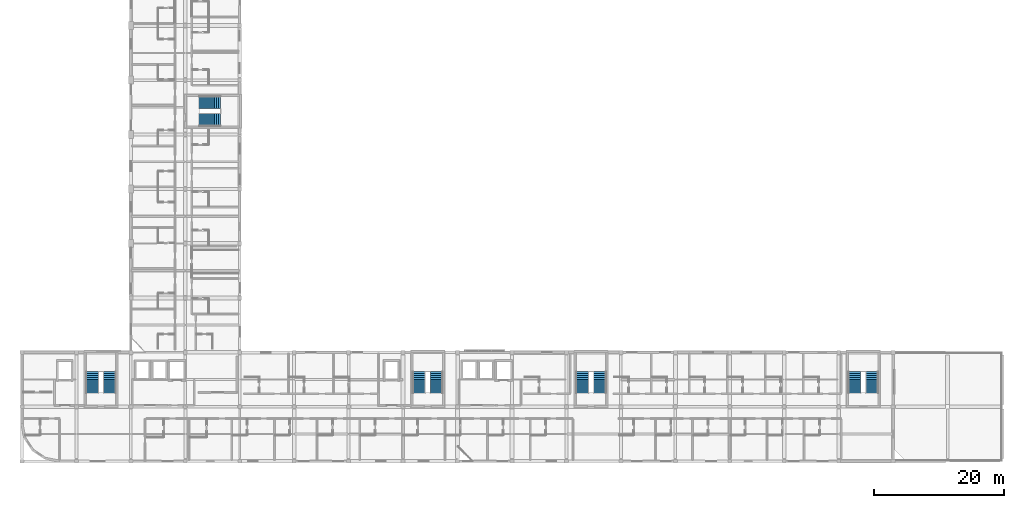
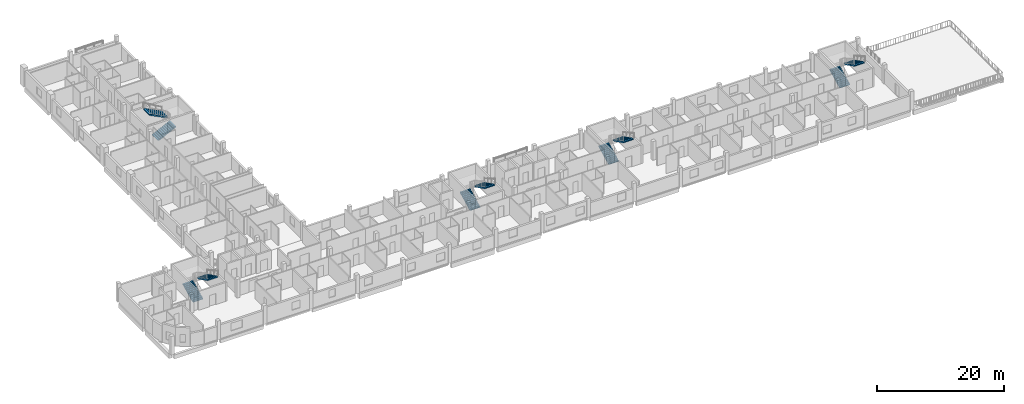
# One storey, part 23 of 25: 10 stair flights, 5 elements without a shape of their own.
"""IFC4 building model written with IfcOpenShell, lengths in metres."""

from ifc_helpers import new_model, si_unit, derived_unit, direction, frame, origin, place, context, subcontext, project, spatial, polyline, outline, extrude, material, type_object, element, aggregate, save


model = new_model("IFC4")

# Units and contexts
model_context = context("Model", 3, precision=1e-05, world=origin(), true_north=direction((0.0, 1.0)))
body_context = subcontext(model_context, "Body", "Model", "MODEL_VIEW")
ifc_project = project(units=[si_unit("LENGTHUNIT", "METRE"), si_unit("AREAUNIT", "SQUARE_METRE"), si_unit("VOLUMEUNIT", "CUBIC_METRE"), si_unit("PLANEANGLEUNIT", "RADIAN"), si_unit("MASSUNIT", "GRAM", prefix="KILO"), derived_unit("THERMALTRANSMITTANCEUNIT", [(si_unit("POWERUNIT", "WATT"), 1), (si_unit("LENGTHUNIT", "METRE"), -2), (si_unit("THERMODYNAMICTEMPERATUREUNIT", "KELVIN"), -1)])], contexts=[model_context])

# Site, building, storey
site_placement = place(None, origin())
site = spatial("IfcSite", under=ifc_project, at=site_placement, CompositionType="ELEMENT")
building_placement = place(site_placement, origin())
building = spatial("IfcBuilding", under=site, at=building_placement, Name="Barrovel Congress Hotel", CompositionType="ELEMENT")
storey_placement = place(building_placement, frame((0.0, 0.0, 25.5)))
storey = spatial("IfcBuildingStorey", under=building, at=storey_placement, Name="L06", CompositionType="ELEMENT", Elevation=25.5)

# Stair, stair flights
ifc_material = material(Name="Concrete C40", Category="concrete")
stair_type_1 = type_object("IfcStairType", Name="STR-HT-360", PredefinedType="HALF_TURN_STAIR", material=ifc_material)
stair_1_placement = place(storey_placement, origin())
stair_1 = element("IfcStair", 1, at=stair_1_placement, inside=storey, type_object=stair_type_1, Name="Exit Stair XS-01 (L06)", PredefinedType="HALF_TURN_STAIR")
stair_flight_type_1 = type_object("IfcStairFlightType", Name="SFL-200x180", PredefinedType="STRAIGHT", material=ifc_material)
stair_flight_1_placement = place(storey_placement, frame((27.679931640625, 14.739990234375, 0.0), z_axis=(0.0, 0.0, 1.0), x_axis=(0.0, 1.0, 0.0)))
stair_flight_1 = element("IfcStairFlight", 2, at=stair_flight_1_placement, type_object=stair_flight_type_1, Name="STAIR:XS-01:L06:F1", NumberOfRisers=12, NumberOfTreads=11, PredefinedType="STRAIGHT", RiserHeight=0.15, TreadLength=0.3, context=body_context, shape_type="SweptSolid", body=[
    extrude(outline(polyline([(0.0, 0.0), (0.0, 0.14990234375), (0.300048828125, 0.14990234375), (0.300048828125, 0.300048828125), (0.60009765625, 0.300048828125), (0.60009765625, 0.449951171875), (0.89990234375, 0.449951171875), (0.89990234375, 0.60009765625), (1.199951171875, 0.60009765625), (1.199951171875, 0.75), (1.5, 0.75), (1.5, 0.89990234375), (1.800048828125, 0.89990234375), (1.800048828125, 1.050048828125), (2.10009765625, 1.050048828125), (2.10009765625, 1.199951171875), (2.39990234375, 1.199951171875), (2.39990234375, 1.35009765625), (2.699951171875, 1.35009765625), (2.699951171875, 1.5), (3.0, 1.5), (3.0, 1.64990234375), (3.300048828125, 1.64990234375), (3.300048828125, 1.800048828125), (3.300048828125, 1.44873046875), (0.40234375, 0.0), (0.0, 0.0)])), frame((0.0, 0.919921875, 0.0), z_axis=(0.0, -1.0, 0.0), x_axis=(1.0, 0.0, 0.0)), (0.0, 0.0, 1.0), 1.840087890625),
])
stair_flight_2_placement = place(storey_placement, frame((30.320068359375, 18.0400390625, 1.800048828125), z_axis=(0.0, 0.0, 1.0), x_axis=(0.0, -1.0, 0.0)))
stair_flight_2 = element("IfcStairFlight", 3, at=stair_flight_2_placement, type_object=stair_flight_type_1, Name="STAIR:XS-01:L06:F2", NumberOfRisers=12, NumberOfTreads=11, PredefinedType="STRAIGHT", RiserHeight=0.15, TreadLength=0.3, context=body_context, shape_type="SweptSolid", body=[
    extrude(outline(polyline([(0.0, 0.0), (0.0, 0.14990234375), (0.300048828125, 0.14990234375), (0.300048828125, 0.300048828125), (0.60009765625, 0.300048828125), (0.60009765625, 0.449951171875), (0.89990234375, 0.449951171875), (0.89990234375, 0.60009765625), (1.199951171875, 0.60009765625), (1.199951171875, 0.75), (1.5, 0.75), (1.5, 0.89990234375), (1.800048828125, 0.89990234375), (1.800048828125, 1.050048828125), (2.10009765625, 1.050048828125), (2.10009765625, 1.199951171875), (2.39990234375, 1.199951171875), (2.39990234375, 1.35009765625), (2.699951171875, 1.35009765625), (2.699951171875, 1.5), (3.0, 1.5), (3.0, 1.64990234375), (3.300048828125, 1.64990234375), (3.300048828125, 1.800048828125), (3.300048828125, 1.44873046875), (0.40234375, 0.0), (0.0, 0.0)])), frame((0.0, 0.919921875, 0.0), z_axis=(0.0, -1.0, 0.0), x_axis=(1.0, 0.0, 0.0)), (0.0, 0.0, 1.0), 1.840087890625),
])
aggregate(stair_1, [stair_flight_1, stair_flight_2])

stair_2_placement = place(storey_placement, origin())
stair_2 = element("IfcStair", 4, at=stair_2_placement, inside=storey, type_object=stair_type_1, Name="Exit Stair XS-02 (L06)", PredefinedType="HALF_TURN_STAIR")
stair_flight_3_placement = place(storey_placement, frame((78.080078125, 14.739990234375, 0.0), z_axis=(0.0, 0.0, 1.0), x_axis=(0.0, 1.0, 0.0)))
stair_flight_3 = element("IfcStairFlight", 5, at=stair_flight_3_placement, type_object=stair_flight_type_1, Name="STAIR:XS-02:L06:F1", NumberOfRisers=12, NumberOfTreads=11, PredefinedType="STRAIGHT", RiserHeight=0.15, TreadLength=0.3, context=body_context, shape_type="SweptSolid", body=[
    extrude(outline(polyline([(0.0, 0.0), (0.0, 0.14990234375), (0.300048828125, 0.14990234375), (0.300048828125, 0.300048828125), (0.60009765625, 0.300048828125), (0.60009765625, 0.449951171875), (0.89990234375, 0.449951171875), (0.89990234375, 0.60009765625), (1.199951171875, 0.60009765625), (1.199951171875, 0.75), (1.5, 0.75), (1.5, 0.89990234375), (1.800048828125, 0.89990234375), (1.800048828125, 1.050048828125), (2.10009765625, 1.050048828125), (2.10009765625, 1.199951171875), (2.39990234375, 1.199951171875), (2.39990234375, 1.35009765625), (2.699951171875, 1.35009765625), (2.699951171875, 1.5), (3.0, 1.5), (3.0, 1.64990234375), (3.300048828125, 1.64990234375), (3.300048828125, 1.800048828125), (3.300048828125, 1.44873046875), (0.40234375, 0.0), (0.0, 0.0)])), frame((0.0, 0.919921875, 0.0), z_axis=(0.0, -1.0, 0.0), x_axis=(1.0, 0.0, 0.0)), (0.0, 0.0, 1.0), 1.840087890625),
])
stair_flight_4_placement = place(storey_placement, frame((80.719970703125, 18.0400390625, 1.800048828125), z_axis=(0.0, 0.0, 1.0), x_axis=(0.0, -1.0, 0.0)))
stair_flight_4 = element("IfcStairFlight", 6, at=stair_flight_4_placement, type_object=stair_flight_type_1, Name="STAIR:XS-02:L06:F2", NumberOfRisers=12, NumberOfTreads=11, PredefinedType="STRAIGHT", RiserHeight=0.15, TreadLength=0.3, context=body_context, shape_type="SweptSolid", body=[
    extrude(outline(polyline([(0.0, 0.0), (0.0, 0.14990234375), (0.300048828125, 0.14990234375), (0.300048828125, 0.300048828125), (0.60009765625, 0.300048828125), (0.60009765625, 0.449951171875), (0.89990234375, 0.449951171875), (0.89990234375, 0.60009765625), (1.199951171875, 0.60009765625), (1.199951171875, 0.75), (1.5, 0.75), (1.5, 0.89990234375), (1.800048828125, 0.89990234375), (1.800048828125, 1.050048828125), (2.10009765625, 1.050048828125), (2.10009765625, 1.199951171875), (2.39990234375, 1.199951171875), (2.39990234375, 1.35009765625), (2.699951171875, 1.35009765625), (2.699951171875, 1.5), (3.0, 1.5), (3.0, 1.64990234375), (3.300048828125, 1.64990234375), (3.300048828125, 1.800048828125), (3.300048828125, 1.44873046875), (0.40234375, 0.0), (0.0, 0.0)])), frame((0.0, 0.919921875, 0.0), z_axis=(0.0, -1.0, 0.0), x_axis=(1.0, 0.0, 0.0)), (0.0, 0.0, 1.0), 1.840087890625),
])
aggregate(stair_2, [stair_flight_3, stair_flight_4])

stair_3_placement = place(storey_placement, origin())
stair_3 = element("IfcStair", 7, at=stair_3_placement, inside=storey, type_object=stair_type_1, Name="Exit Stair XS-03 (L06)", PredefinedType="HALF_TURN_STAIR")
stair_flight_5_placement = place(storey_placement, frame((103.280029296875, 14.739990234375, 0.0), z_axis=(0.0, 0.0, 1.0), x_axis=(0.0, 1.0, 0.0)))
stair_flight_5 = element("IfcStairFlight", 8, at=stair_flight_5_placement, type_object=stair_flight_type_1, Name="STAIR:XS-03:L06:F1", NumberOfRisers=12, NumberOfTreads=11, PredefinedType="STRAIGHT", RiserHeight=0.15, TreadLength=0.3, context=body_context, shape_type="SweptSolid", body=[
    extrude(outline(polyline([(0.0, 0.0), (0.0, 0.14990234375), (0.300048828125, 0.14990234375), (0.300048828125, 0.300048828125), (0.60009765625, 0.300048828125), (0.60009765625, 0.449951171875), (0.89990234375, 0.449951171875), (0.89990234375, 0.60009765625), (1.199951171875, 0.60009765625), (1.199951171875, 0.75), (1.5, 0.75), (1.5, 0.89990234375), (1.800048828125, 0.89990234375), (1.800048828125, 1.050048828125), (2.10009765625, 1.050048828125), (2.10009765625, 1.199951171875), (2.39990234375, 1.199951171875), (2.39990234375, 1.35009765625), (2.699951171875, 1.35009765625), (2.699951171875, 1.5), (3.0, 1.5), (3.0, 1.64990234375), (3.300048828125, 1.64990234375), (3.300048828125, 1.800048828125), (3.300048828125, 1.44873046875), (0.40234375, 0.0), (0.0, 0.0)])), frame((0.0, 0.919921875, 0.0), z_axis=(0.0, -1.0, 0.0), x_axis=(1.0, 0.0, 0.0)), (0.0, 0.0, 1.0), 1.840087890625),
])
stair_flight_6_placement = place(storey_placement, frame((105.919921875, 18.0400390625, 1.800048828125), z_axis=(0.0, 0.0, 1.0), x_axis=(0.0, -1.0, 0.0)))
stair_flight_6 = element("IfcStairFlight", 9, at=stair_flight_6_placement, type_object=stair_flight_type_1, Name="STAIR:XS-03:L06:F2", NumberOfRisers=12, NumberOfTreads=11, PredefinedType="STRAIGHT", RiserHeight=0.15, TreadLength=0.3, context=body_context, shape_type="SweptSolid", body=[
    extrude(outline(polyline([(0.0, 0.0), (0.0, 0.14990234375), (0.300048828125, 0.14990234375), (0.300048828125, 0.300048828125), (0.60009765625, 0.300048828125), (0.60009765625, 0.449951171875), (0.89990234375, 0.449951171875), (0.89990234375, 0.60009765625), (1.199951171875, 0.60009765625), (1.199951171875, 0.75), (1.5, 0.75), (1.5, 0.89990234375), (1.800048828125, 0.89990234375), (1.800048828125, 1.050048828125), (2.10009765625, 1.050048828125), (2.10009765625, 1.199951171875), (2.39990234375, 1.199951171875), (2.39990234375, 1.35009765625), (2.699951171875, 1.35009765625), (2.699951171875, 1.5), (3.0, 1.5), (3.0, 1.64990234375), (3.300048828125, 1.64990234375), (3.300048828125, 1.800048828125), (3.300048828125, 1.44873046875), (0.40234375, 0.0), (0.0, 0.0)])), frame((0.0, 0.919921875, 0.0), z_axis=(0.0, -1.0, 0.0), x_axis=(1.0, 0.0, 0.0)), (0.0, 0.0, 1.0), 1.840087890625),
])
aggregate(stair_3, [stair_flight_5, stair_flight_6])

stair_4_placement = place(storey_placement, origin())
stair_4 = element("IfcStair", 10, at=stair_4_placement, inside=storey, type_object=stair_type_1, Name="Exit Stair XS-04 (L06)", PredefinedType="HALF_TURN_STAIR")
stair_flight_7_placement = place(storey_placement, frame((145.280029296875, 14.739990234375, 0.0), z_axis=(0.0, 0.0, 1.0), x_axis=(0.0, 1.0, 0.0)))
stair_flight_7 = element("IfcStairFlight", 11, at=stair_flight_7_placement, type_object=stair_flight_type_1, Name="STAIR:XS-04:L06:F1", NumberOfRisers=12, NumberOfTreads=11, PredefinedType="STRAIGHT", RiserHeight=0.15, TreadLength=0.3, context=body_context, shape_type="SweptSolid", body=[
    extrude(outline(polyline([(0.0, 0.0), (0.0, 0.14990234375), (0.300048828125, 0.14990234375), (0.300048828125, 0.300048828125), (0.60009765625, 0.300048828125), (0.60009765625, 0.449951171875), (0.89990234375, 0.449951171875), (0.89990234375, 0.60009765625), (1.199951171875, 0.60009765625), (1.199951171875, 0.75), (1.5, 0.75), (1.5, 0.89990234375), (1.800048828125, 0.89990234375), (1.800048828125, 1.050048828125), (2.10009765625, 1.050048828125), (2.10009765625, 1.199951171875), (2.39990234375, 1.199951171875), (2.39990234375, 1.35009765625), (2.699951171875, 1.35009765625), (2.699951171875, 1.5), (3.0, 1.5), (3.0, 1.64990234375), (3.300048828125, 1.64990234375), (3.300048828125, 1.800048828125), (3.300048828125, 1.44873046875), (0.40234375, 0.0), (0.0, 0.0)])), frame((0.0, 0.919921875, 0.0), z_axis=(0.0, -1.0, 0.0), x_axis=(1.0, 0.0, 0.0)), (0.0, 0.0, 1.0), 1.840087890625),
])
stair_flight_8_placement = place(storey_placement, frame((147.919921875, 18.0400390625, 1.800048828125), z_axis=(0.0, 0.0, 1.0), x_axis=(0.0, -1.0, 0.0)))
stair_flight_8 = element("IfcStairFlight", 12, at=stair_flight_8_placement, type_object=stair_flight_type_1, Name="STAIR:XS-04:L06:F2", NumberOfRisers=12, NumberOfTreads=11, PredefinedType="STRAIGHT", RiserHeight=0.15, TreadLength=0.3, context=body_context, shape_type="SweptSolid", body=[
    extrude(outline(polyline([(0.0, 0.0), (0.0, 0.14990234375), (0.300048828125, 0.14990234375), (0.300048828125, 0.300048828125), (0.60009765625, 0.300048828125), (0.60009765625, 0.449951171875), (0.89990234375, 0.449951171875), (0.89990234375, 0.60009765625), (1.199951171875, 0.60009765625), (1.199951171875, 0.75), (1.5, 0.75), (1.5, 0.89990234375), (1.800048828125, 0.89990234375), (1.800048828125, 1.050048828125), (2.10009765625, 1.050048828125), (2.10009765625, 1.199951171875), (2.39990234375, 1.199951171875), (2.39990234375, 1.35009765625), (2.699951171875, 1.35009765625), (2.699951171875, 1.5), (3.0, 1.5), (3.0, 1.64990234375), (3.300048828125, 1.64990234375), (3.300048828125, 1.800048828125), (3.300048828125, 1.44873046875), (0.40234375, 0.0), (0.0, 0.0)])), frame((0.0, 0.919921875, 0.0), z_axis=(0.0, -1.0, 0.0), x_axis=(1.0, 0.0, 0.0)), (0.0, 0.0, 1.0), 1.840087890625),
])
aggregate(stair_4, [stair_flight_7, stair_flight_8])

stair_type_2 = type_object("IfcStairType", Name="STR-DR-360", PredefinedType="DOUBLE_RETURN_STAIR", material=ifc_material)
stair_5_placement = place(storey_placement, origin())
stair_5 = element("IfcStair", 13, at=stair_5_placement, inside=storey, type_object=stair_type_2, Name="Exit Stair XS-05 (L06)", PredefinedType="DOUBLE_RETURN_STAIR")
stair_flight_type_2 = type_object("IfcStairFlightType", Name="SFL-205x180", PredefinedType="STRAIGHT", material=ifc_material)
stair_flight_9_placement = place(storey_placement, frame((44.139892578125, 56.889892578125, 0.0), z_axis=(0.0, 0.0, 1.0), x_axis=(1.0, 0.0, 0.0)))
stair_flight_9 = element("IfcStairFlight", 14, at=stair_flight_9_placement, type_object=stair_flight_type_2, Name="STAIR:XS-05:L06:F1", NumberOfRisers=12, NumberOfTreads=11, PredefinedType="STRAIGHT", RiserHeight=0.15, TreadLength=0.3, context=body_context, shape_type="SweptSolid", body=[
    extrude(outline(polyline([(0.0, 0.0), (0.0, 0.14990234375), (0.300048828125, 0.14990234375), (0.300048828125, 0.300048828125), (0.60009765625, 0.300048828125), (0.60009765625, 0.449951171875), (0.89990234375, 0.449951171875), (0.89990234375, 0.60009765625), (1.199951171875, 0.60009765625), (1.199951171875, 0.75), (1.5, 0.75), (1.5, 0.89990234375), (1.800048828125, 0.89990234375), (1.800048828125, 1.050048828125), (2.10009765625, 1.050048828125), (2.10009765625, 1.199951171875), (2.39990234375, 1.199951171875), (2.39990234375, 1.35009765625), (2.699951171875, 1.35009765625), (2.699951171875, 1.5), (3.0, 1.5), (3.0, 1.64990234375), (3.300048828125, 1.64990234375), (3.300048828125, 1.800048828125), (3.300048828125, 1.44873046875), (0.40234375, 0.0), (0.0, 0.0)])), frame((0.0, 0.93017578125, 0.0), z_axis=(0.0, -1.0, 0.0), x_axis=(1.0, 0.0, 0.0)), (0.0, 0.0, 1.0), 1.860107421875),
])
stair_flight_10_placement = place(storey_placement, frame((47.43994140625, 59.510009765625, 1.800048828125), z_axis=(0.0, 0.0, 1.0), x_axis=(-1.0, 0.0, 0.0)))
stair_flight_10 = element("IfcStairFlight", 15, at=stair_flight_10_placement, type_object=stair_flight_type_2, Name="STAIR:XS-05:L06:F2", NumberOfRisers=12, NumberOfTreads=11, PredefinedType="STRAIGHT", RiserHeight=0.15, TreadLength=0.3, context=body_context, shape_type="SweptSolid", body=[
    extrude(outline(polyline([(0.0, 0.0), (0.0, 0.14990234375), (0.300048828125, 0.14990234375), (0.300048828125, 0.300048828125), (0.60009765625, 0.300048828125), (0.60009765625, 0.449951171875), (0.89990234375, 0.449951171875), (0.89990234375, 0.60009765625), (1.199951171875, 0.60009765625), (1.199951171875, 0.75), (1.5, 0.75), (1.5, 0.89990234375), (1.800048828125, 0.89990234375), (1.800048828125, 1.050048828125), (2.10009765625, 1.050048828125), (2.10009765625, 1.199951171875), (2.39990234375, 1.199951171875), (2.39990234375, 1.35009765625), (2.699951171875, 1.35009765625), (2.699951171875, 1.5), (3.0, 1.5), (3.0, 1.64990234375), (3.300048828125, 1.64990234375), (3.300048828125, 1.800048828125), (3.300048828125, 1.44873046875), (0.40234375, 0.0), (0.0, 0.0)])), frame((0.0, 0.93017578125, 0.0), z_axis=(0.0, -1.0, 0.0), x_axis=(1.0, 0.0, 0.0)), (0.0, 0.0, 1.0), 1.860107421875),
])
aggregate(stair_5, [stair_flight_9, stair_flight_10])

save(model, "model.ifc")
